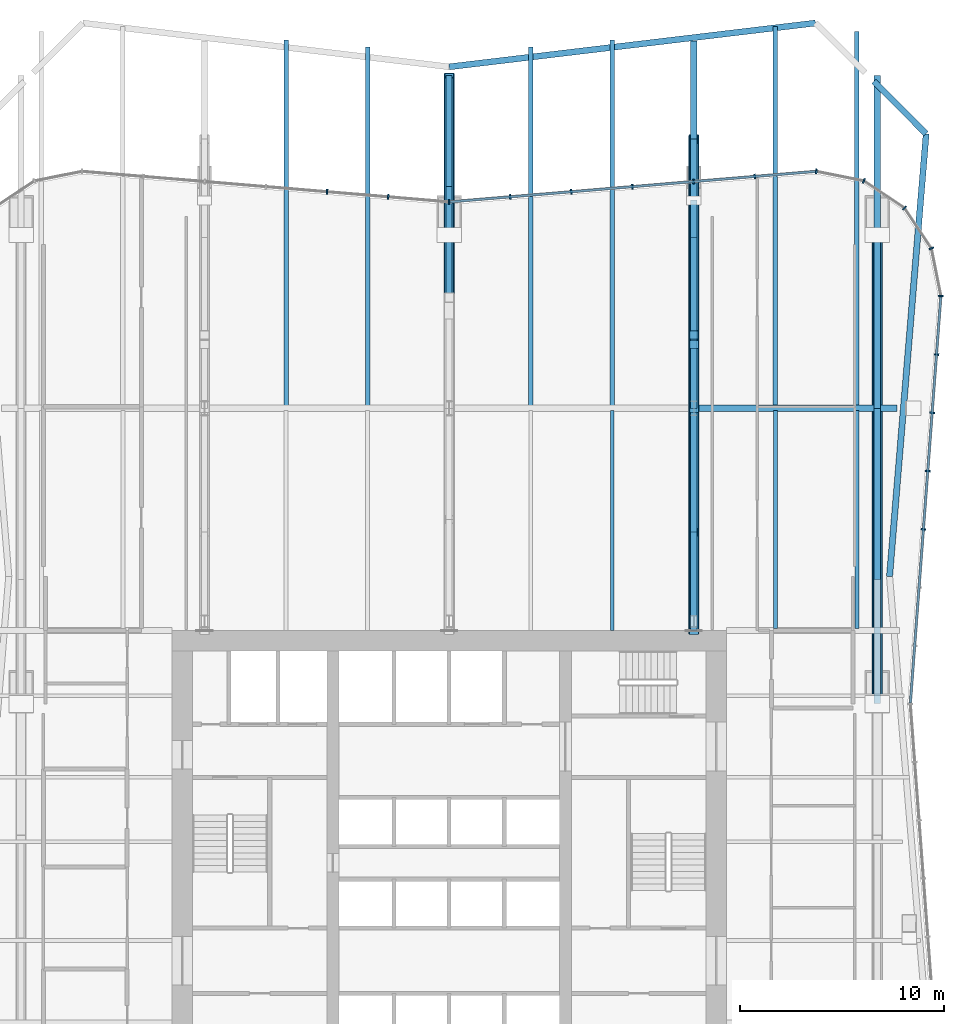
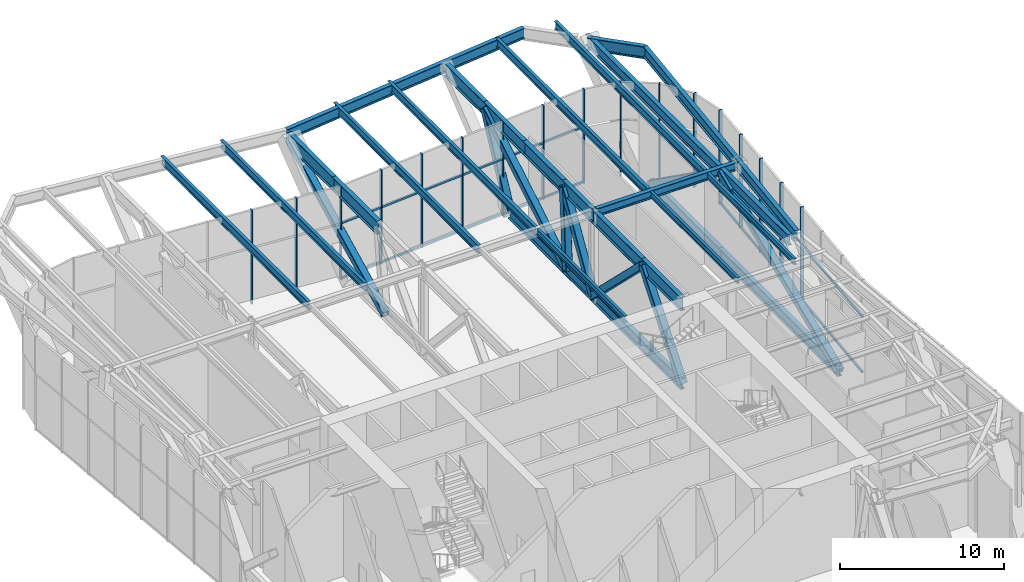
# One storey, part 7 of 16: 43 members, 13 beams, 3 elements without a shape of their own.
"""IFC4 building model written with IfcOpenShell, lengths in metres."""

from ifc_helpers import new_model, si_unit, direction, frame, origin, origin_2d, place, context, subcontext, project, spatial, rectangle, hollow_rectangle, i_section, extrude, material, material_profile, profile_set, type_object, element, aggregate, save


model = new_model("IFC4")

# Units and contexts
model_context = context("Model", 3, precision=1e-05, world=origin(), true_north=direction((0.0, 1.0)))
body_context = subcontext(model_context, "Body", "Model", "MODEL_VIEW")
ifc_project = project(units=[si_unit("LENGTHUNIT", "METRE"), si_unit("AREAUNIT", "SQUARE_METRE"), si_unit("VOLUMEUNIT", "CUBIC_METRE"), si_unit("PLANEANGLEUNIT", "RADIAN"), si_unit("MASSUNIT", "GRAM", prefix="KILO")], contexts=[model_context])

# Site, building, storey
site_placement = place(None, origin())
site = spatial("IfcSite", under=ifc_project, at=site_placement, CompositionType="ELEMENT")
building_placement = place(site_placement, origin())
building = spatial("IfcBuilding", under=site, at=building_placement, Name="Verdant Reach Tower", CompositionType="ELEMENT")
storey_placement = place(building_placement, frame((0.0, 0.0, 170.0)))
storey = spatial("IfcBuildingStorey", under=building, at=storey_placement, Name="L39 Plant", CompositionType="ELEMENT", Elevation=170.0)

# Curtain wall, members
ifc_material_1 = material(Name="Anodised aluminium", Category="aluminium")
curtain_wall_type = type_object("IfcCurtainWallType", Name="EN-CW SYSTEM PLANT", PredefinedType="NOTDEFINED", material=ifc_material_1)
curtain_wall_1_placement = place(storey_placement, origin())
curtain_wall_1 = element("IfcCurtainWall", 1, at=curtain_wall_1_placement, inside=storey, type_object=curtain_wall_type, Name="Curtain wall east, L39", PredefinedType="NOTDEFINED")
ifc_material_profile_1 = material_profile(ifc_material_1, rectangle(XDim=0.238037109375, YDim=0.080078125, at=origin_2d()), Name="Mullion 80x240")
ifc_profile_set_1 = profile_set([ifc_material_profile_1], Name="Anodised aluminium")
member_type_1 = type_object("IfcMemberType", Name="EN-MULLION PLANT", PredefinedType="MULLION", material=ifc_profile_set_1)
member_1_placement = place(storey_placement, frame((23.261474609375, 43.5625, -0.35009765625), z_axis=(0.0, 0.0, 1.0), x_axis=(0.997199309888, -0.074789948245, 0.0)))
member_1 = element("IfcMember", 2, at=member_1_placement, type_object=member_type_1, Name="Mullion east face part 2 4, L39", PredefinedType="MULLION", context=body_context, shape_type="SweptSolid", body=[
    extrude(rectangle(XDim=0.238037109375, YDim=0.080078125, at=origin_2d()), origin(), (0.0, 0.0, 1.0), 7.0),
])
member_2_placement = place(storey_placement, frame((23.475830078125, 46.419677734375, -0.35009765625), z_axis=(0.0, 0.0, 1.0), x_axis=(0.997199309888, -0.074789948245, 0.0)))
member_2 = element("IfcMember", 3, at=member_2_placement, type_object=member_type_1, Name="Mullion east face part 2 5, L39", PredefinedType="MULLION", context=body_context, shape_type="SweptSolid", body=[
    extrude(rectangle(XDim=0.238037109375, YDim=0.080078125, at=origin_2d()), origin(), (0.0, 0.0, 1.0), 7.0),
])
member_3_placement = place(storey_placement, frame((23.690185546875, 49.27685546875, -0.35009765625), z_axis=(0.0, 0.0, 1.0), x_axis=(0.997199309888, -0.074789948245, 0.0)))
member_3 = element("IfcMember", 4, at=member_3_placement, type_object=member_type_1, Name="Mullion east face part 2 6, L39", PredefinedType="MULLION", context=body_context, shape_type="SweptSolid", body=[
    extrude(rectangle(XDim=0.238037109375, YDim=0.080078125, at=origin_2d()), origin(), (0.0, 0.0, 1.0), 7.0),
])
member_4_placement = place(storey_placement, frame((23.904296875, 52.134033203125, -0.35009765625), z_axis=(0.0, 0.0, 1.0), x_axis=(0.997199309888, -0.074789948245, 0.0)))
member_4 = element("IfcMember", 5, at=member_4_placement, type_object=member_type_1, Name="Mullion east face part 2 7, L39", PredefinedType="MULLION", context=body_context, shape_type="SweptSolid", body=[
    extrude(rectangle(XDim=0.238037109375, YDim=0.080078125, at=origin_2d()), origin(), (0.0, 0.0, 1.0), 7.0),
])

curtain_wall_2_placement = place(storey_placement, origin())
curtain_wall_2 = element("IfcCurtainWall", 6, at=curtain_wall_2_placement, inside=storey, type_object=curtain_wall_type, Name="Curtain wall north-east corner, L39", PredefinedType="NOTDEFINED")
member_5_placement = place(storey_placement, frame((24.118896484375, 55.00732421875, -0.35009765625), z_axis=(0.0, 0.0, 1.0), x_axis=(0.998155887542, 0.060702752526, 0.0)))
member_5 = element("IfcMember", 7, at=member_5_placement, type_object=member_type_1, Name="Mullion north-east corner 1, L39", PredefinedType="MULLION", context=body_context, shape_type="SweptSolid", body=[
    extrude(rectangle(XDim=0.238037109375, YDim=0.080078125, at=origin_2d()), origin(), (0.0, 0.0, 1.0), 7.0),
])
member_6_placement = place(storey_placement, frame((23.6533203125, 57.341552734375, -0.35009765625), z_axis=(0.0, 0.0, 1.0), x_axis=(0.923875215753, 0.382693853776, 0.0)))
member_6 = element("IfcMember", 8, at=member_6_placement, type_object=member_type_1, Name="Mullion north-east corner 2, L39", PredefinedType="MULLION", context=body_context, shape_type="SweptSolid", body=[
    extrude(rectangle(XDim=0.238037109375, YDim=0.080078125, at=origin_2d()), origin(), (0.0, 0.0, 1.0), 7.0),
])
member_7_placement = place(storey_placement, frame((22.32666015625, 59.32666015625, -0.35009765625), z_axis=(0.0, 0.0, 1.0), x_axis=(0.707106781187, 0.707106781187, 0.0)))
member_7 = element("IfcMember", 9, at=member_7_placement, type_object=member_type_1, Name="Mullion north-east corner 3, L39", PredefinedType="MULLION", context=body_context, shape_type="SweptSolid", body=[
    extrude(rectangle(XDim=0.238037109375, YDim=0.080078125, at=origin_2d()), origin(), (0.0, 0.0, 1.0), 7.0),
])
member_8_placement = place(storey_placement, frame((20.341552734375, 60.6533203125, -0.35009765625), z_axis=(0.0, 0.0, 1.0), x_axis=(0.382693853776, 0.923875215753, 0.0)))
member_8 = element("IfcMember", 10, at=member_8_placement, type_object=member_type_1, Name="Mullion north-east corner 4, L39", PredefinedType="MULLION", context=body_context, shape_type="SweptSolid", body=[
    extrude(rectangle(XDim=0.238037109375, YDim=0.080078125, at=origin_2d()), origin(), (0.0, 0.0, 1.0), 7.0),
])
aggregate(curtain_wall_2, [member_5, member_6, member_7, member_8])

curtain_wall_3_placement = place(storey_placement, origin())
curtain_wall_3 = element("IfcCurtainWall", 11, at=curtain_wall_3_placement, inside=storey, type_object=curtain_wall_type, Name="Curtain wall north, L39", PredefinedType="NOTDEFINED")
member_9_placement = place(storey_placement, frame((18.0068359375, 61.118896484375, -0.35009765625), z_axis=(0.0, 0.0, 1.0), x_axis=(0.056569187765, 0.998398681387, 0.0)))
member_9 = element("IfcMember", 12, at=member_9_placement, type_object=member_type_1, Name="Mullion north face part 1 1, L39", PredefinedType="MULLION", context=body_context, shape_type="SweptSolid", body=[
    extrude(rectangle(XDim=0.238037109375, YDim=0.080078125, at=origin_2d()), origin(), (0.0, 0.0, 1.0), 7.0),
])
member_10_placement = place(storey_placement, frame((14.990234375, 60.86865234375, -0.35009765625), z_axis=(0.0, 0.0, 1.0), x_axis=(-0.083045479859, 0.996545758244, 0.0)))
member_10 = element("IfcMember", 13, at=member_10_placement, type_object=member_type_1, Name="Mullion north face part 1 2, L39", PredefinedType="MULLION", context=body_context, shape_type="SweptSolid", body=[
    extrude(rectangle(XDim=0.238037109375, YDim=0.080078125, at=origin_2d()), origin(), (0.0, 0.0, 1.0), 7.0),
])
member_11_placement = place(storey_placement, frame((11.990234375, 60.61865234375, -0.35009765625), z_axis=(0.0, 0.0, 1.0), x_axis=(-0.083045479859, 0.996545758244, 0.0)))
member_11 = element("IfcMember", 14, at=member_11_placement, type_object=member_type_1, Name="Mullion north face part 1 3, L39", PredefinedType="MULLION", context=body_context, shape_type="SweptSolid", body=[
    extrude(rectangle(XDim=0.238037109375, YDim=0.080078125, at=origin_2d()), origin(), (0.0, 0.0, 1.0), 7.0),
])
member_12_placement = place(storey_placement, frame((8.990234375, 60.36865234375, -0.35009765625), z_axis=(0.0, 0.0, 1.0), x_axis=(-0.083045479859, 0.996545758244, 0.0)))
member_12 = element("IfcMember", 15, at=member_12_placement, type_object=member_type_1, Name="Mullion north face part 1 4, L39", PredefinedType="MULLION", context=body_context, shape_type="SweptSolid", body=[
    extrude(rectangle(XDim=0.238037109375, YDim=0.080078125, at=origin_2d()), origin(), (0.0, 0.0, 1.0), 7.0),
])
member_13_placement = place(storey_placement, frame((5.990234375, 60.11865234375, -0.35009765625), z_axis=(0.0, 0.0, 1.0), x_axis=(-0.083045479859, 0.996545758244, 0.0)))
member_13 = element("IfcMember", 16, at=member_13_placement, type_object=member_type_1, Name="Mullion north face part 1 5, L39", PredefinedType="MULLION", context=body_context, shape_type="SweptSolid", body=[
    extrude(rectangle(XDim=0.238037109375, YDim=0.080078125, at=origin_2d()), origin(), (0.0, 0.0, 1.0), 7.0),
])
member_14_placement = place(storey_placement, frame((2.990234375, 59.86865234375, -0.35009765625), z_axis=(0.0, 0.0, 1.0), x_axis=(-0.083045479859, 0.996545758244, 0.0)))
member_14 = element("IfcMember", 17, at=member_14_placement, type_object=member_type_1, Name="Mullion north face part 1 6, L39", PredefinedType="MULLION", context=body_context, shape_type="SweptSolid", body=[
    extrude(rectangle(XDim=0.238037109375, YDim=0.080078125, at=origin_2d()), origin(), (0.0, 0.0, 1.0), 7.0),
])
member_15_placement = place(storey_placement, frame((0.0, 59.618896484375, -0.35009765625), z_axis=(0.0, 0.0, 1.0), x_axis=(0.0, 1.0, 0.0)))
member_15 = element("IfcMember", 18, at=member_15_placement, type_object=member_type_1, Name="Mullion north face part 2 1, L39", PredefinedType="MULLION", context=body_context, shape_type="SweptSolid", body=[
    extrude(rectangle(XDim=0.238037109375, YDim=0.080078125, at=origin_2d()), origin(), (0.0, 0.0, 1.0), 7.0),
])
member_16_placement = place(storey_placement, frame((-2.990234375, 59.86865234375, -0.35009765625), z_axis=(0.0, 0.0, 1.0), x_axis=(0.083045479859, 0.996545758244, 0.0)))
member_16 = element("IfcMember", 19, at=member_16_placement, type_object=member_type_1, Name="Mullion north face part 2 2, L39", PredefinedType="MULLION", context=body_context, shape_type="SweptSolid", body=[
    extrude(rectangle(XDim=0.238037109375, YDim=0.080078125, at=origin_2d()), origin(), (0.0, 0.0, 1.0), 7.0),
])
member_17_placement = place(storey_placement, frame((-5.990234375, 60.11865234375, -0.35009765625), z_axis=(0.0, 0.0, 1.0), x_axis=(0.083045479859, 0.996545758244, 0.0)))
member_17 = element("IfcMember", 20, at=member_17_placement, type_object=member_type_1, Name="Mullion north face part 2 3, L39", PredefinedType="MULLION", context=body_context, shape_type="SweptSolid", body=[
    extrude(rectangle(XDim=0.238037109375, YDim=0.080078125, at=origin_2d()), origin(), (0.0, 0.0, 1.0), 7.0),
])

# Member
ifc_material_profile_2 = material_profile(ifc_material_1, rectangle(XDim=0.1201171875, YDim=0.14990234375, at=origin_2d()), Name="Transom 150x120")
ifc_profile_set_2 = profile_set([ifc_material_profile_2], Name="Anodised aluminium")
member_type_2 = type_object("IfcMemberType", Name="EN-TRANSOM PLANT", PredefinedType="USERDEFINED", material=ifc_profile_set_2)
member_18_placement = place(storey_placement, frame((22.6220703125, 35.039794921875, -0.27490234375), z_axis=(0.074744693734, 0.997202702944, 0.0), x_axis=(-0.997202702944, 0.074744693734, 0.0)))
member_18 = element("IfcMember", 21, at=member_18_placement, type_object=member_type_2, Name="Transom east face part 2 1.1, L39", ObjectType="TRANSOM", PredefinedType="USERDEFINED", context=body_context, shape_type="SweptSolid", body=[
    extrude(rectangle(XDim=0.1201171875, YDim=0.14990234375, at=origin_2d()), origin(), (0.0, 0.0, 1.0), 19.9833984375),
])

member_19_placement = place(storey_placement, frame((22.6220703125, 35.039794921875, 3.85009765625), z_axis=(0.074744693734, 0.997202702944, 0.0), x_axis=(-0.997202702944, 0.074744693734, 0.0)))
member_19 = element("IfcMember", 22, at=member_19_placement, type_object=member_type_2, Name="Transom east face part 2 1.2, L39", ObjectType="TRANSOM", PredefinedType="USERDEFINED", context=body_context, shape_type="SweptSolid", body=[
    extrude(rectangle(XDim=0.1201171875, YDim=0.14990234375, at=origin_2d()), origin(), (0.0, 0.0, 1.0), 19.9833984375),
])

aggregate(curtain_wall_1, [member_1, member_2, member_3, member_4, member_18, member_19])

member_20_placement = place(storey_placement, frame((17.966796875, 61.115478515625, -0.27490234375), z_axis=(-0.996549220477, -0.083003922598, 0.0), x_axis=(0.083003922598, -0.996549220477, 0.0)))
member_20 = element("IfcMember", 23, at=member_20_placement, type_object=member_type_2, Name="Transom north face part 1 1.1, L39", ObjectType="TRANSOM", PredefinedType="USERDEFINED", context=body_context, shape_type="SweptSolid", body=[
    extrude(rectangle(XDim=0.1201171875, YDim=0.14990234375, at=origin_2d()), origin(), (0.0, 0.0, 1.0), 17.989013671875),
])

member_21_placement = place(storey_placement, frame((17.966796875, 61.115478515625, 3.85009765625), z_axis=(-0.996549220477, -0.083003922598, 0.0), x_axis=(0.083003922598, -0.996549220477, 0.0)))
member_21 = element("IfcMember", 24, at=member_21_placement, type_object=member_type_2, Name="Transom north face part 1 1.2, L39", ObjectType="TRANSOM", PredefinedType="USERDEFINED", context=body_context, shape_type="SweptSolid", body=[
    extrude(rectangle(XDim=0.1201171875, YDim=0.14990234375, at=origin_2d()), origin(), (0.0, 0.0, 1.0), 17.989013671875),
])

aggregate(curtain_wall_3, [member_9, member_10, member_11, member_12, member_13, member_14, member_20, member_21, member_15, member_16, member_17])

# Beams
ifc_material_2 = material(Name="Steel S355", Category="steel")
ifc_material_profile_3 = material_profile(ifc_material_2, i_section(OverallWidth=0.300048828125, OverallDepth=0.60009765625, WebThickness=0.015380859375, FlangeThickness=0.030029296875, FilletRadius=0.027099609375, at=origin_2d()), Name="HEB 600")
ifc_profile_set_3 = profile_set([ifc_material_profile_3], Name="Steel S355")
beam_type_1 = type_object("IfcBeamType", Name="ST-BEAM-HEB600", PredefinedType="BEAM", material=ifc_profile_set_3)
beam_1_placement = place(storey_placement, frame((12.154052734375, 49.5, 6.570068359375), z_axis=(1.0, 0.0, 0.0), x_axis=(0.0, 1.0, 0.0)))
element("IfcBeam", 25, at=beam_1_placement, inside=storey, type_object=beam_type_1, Name="Row girder, L39 Plant", PredefinedType="BEAM", context=body_context, shape_type="SweptSolid", body=[
    extrude(i_section(OverallWidth=0.300048828125, OverallDepth=0.60009765625, WebThickness=0.015380859375, FlangeThickness=0.030029296875, FilletRadius=0.027099609375, at=origin_2d()), origin(), (0.0, 0.0, 1.0), 9.804931640625),
])
ifc_material_profile_4 = material_profile(ifc_material_2, i_section(OverallWidth=0.18994140625, OverallDepth=0.449951171875, WebThickness=0.009521484375, FlangeThickness=0.0146484375, FilletRadius=0.02099609375, at=origin_2d()), Name="IPE 450")
ifc_profile_set_4 = profile_set([ifc_material_profile_4], Name="Steel S355")
beam_type_2 = type_object("IfcBeamType", Name="ST-JOIST-IPE450", PredefinedType="JOIST", material=ifc_profile_set_4)
beam_2_placement = place(storey_placement, frame((8.0, 38.60009765625, 6.64501953125), z_axis=(0.0, 1.0, 0.0), x_axis=(-1.0, 0.0, 0.0)))
element("IfcBeam", 26, at=beam_2_placement, inside=storey, type_object=beam_type_2, Name="Floor joist, L39 Plant", PredefinedType="JOIST", context=body_context, shape_type="SweptSolid", body=[
    extrude(i_section(OverallWidth=0.18994140625, OverallDepth=0.449951171875, WebThickness=0.009521484375, FlangeThickness=0.0146484375, FilletRadius=0.02099609375, at=origin_2d()), origin(), (0.0, 0.0, 1.0), 10.7998046875),
])
for number, where, z_axis, x_axis, name in (
    (27, (16.0, 38.699951171875, 6.64501953125), (0.0, 1.0, 0.0), (-1.0, 0.0, 0.0), "Floor joist, L39 Plant"),
    (28, (20.0, 38.699951171875, 6.64501953125), (0.0, 1.0, 0.0), (-1.0, 0.0, 0.0), "Floor joist, L39 Plant"),
):
    element("IfcBeam", number, at=place(storey_placement, frame(where, z_axis=z_axis, x_axis=x_axis)), inside=storey, type_object=beam_type_2, Name=name, PredefinedType="JOIST", context=body_context, shape_type="SweptSolid", body=[
        extrude(i_section(OverallWidth=0.18994140625, OverallDepth=0.449951171875, WebThickness=0.009521484375, FlangeThickness=0.0146484375, FilletRadius=0.02099609375, at=origin_2d()), origin(), (0.0, 0.0, 1.0), 10.699951171875),
    ])
ifc_material_profile_5 = material_profile(ifc_material_2, i_section(OverallWidth=0.219970703125, OverallDepth=0.60009765625, WebThickness=0.011962890625, FlangeThickness=0.01904296875, FilletRadius=0.02392578125, at=origin_2d()), Name="IPE 600")
ifc_profile_set_5 = profile_set([ifc_material_profile_5], Name="Steel S355")
beam_type_3 = type_object("IfcBeamType", Name="ST-JOIST-IPE600", PredefinedType="JOIST", material=ifc_profile_set_5)
beam_3_placement = place(storey_placement, frame((-8.0, 49.60009765625, 6.570068359375), z_axis=(0.0, 1.0, 0.0), x_axis=(-1.0, 0.0, 0.0)))
element("IfcBeam", 29, at=beam_3_placement, inside=storey, type_object=beam_type_3, Name="Floor joist, L39 Plant", PredefinedType="JOIST", context=body_context, shape_type="SweptSolid", body=[
    extrude(i_section(OverallWidth=0.219970703125, OverallDepth=0.60009765625, WebThickness=0.011962890625, FlangeThickness=0.01904296875, FilletRadius=0.02392578125, at=origin_2d()), origin(), (0.0, 0.0, 1.0), 17.964599609375),
])
for number, where, z_axis, x_axis, name in (
    (30, (-4.0, 49.60009765625, 6.570068359375), (0.0, 1.0, 0.0), (-1.0, 0.0, 0.0), "Floor joist, L39 Plant"),
    (31, (4.0, 49.60009765625, 6.570068359375), (0.0, 1.0, 0.0), (-1.0, 0.0, 0.0), "Floor joist, L39 Plant"),
):
    element("IfcBeam", number, at=place(storey_placement, frame(where, z_axis=z_axis, x_axis=x_axis)), inside=storey, type_object=beam_type_3, Name=name, PredefinedType="JOIST", context=body_context, shape_type="SweptSolid", body=[
        extrude(i_section(OverallWidth=0.219970703125, OverallDepth=0.60009765625, WebThickness=0.011962890625, FlangeThickness=0.01904296875, FilletRadius=0.02392578125, at=origin_2d()), origin(), (0.0, 0.0, 1.0), 17.631103515625),
    ])
beam_4_placement = place(storey_placement, frame((8.0, 49.60009765625, 6.570068359375), z_axis=(0.0, 1.0, 0.0), x_axis=(-1.0, 0.0, 0.0)))
element("IfcBeam", 32, at=beam_4_placement, inside=storey, type_object=beam_type_3, Name="Floor joist, L39 Plant", PredefinedType="JOIST", context=body_context, shape_type="SweptSolid", body=[
    extrude(i_section(OverallWidth=0.219970703125, OverallDepth=0.60009765625, WebThickness=0.011962890625, FlangeThickness=0.01904296875, FilletRadius=0.02392578125, at=origin_2d()), origin(), (0.0, 0.0, 1.0), 17.964599609375),
])
beam_5_placement = place(storey_placement, frame((16.0, 49.60009765625, 6.570068359375), z_axis=(0.0, 1.0, 0.0), x_axis=(-1.0, 0.0, 0.0)))
element("IfcBeam", 33, at=beam_5_placement, inside=storey, type_object=beam_type_3, Name="Floor joist, L39 Plant", PredefinedType="JOIST", context=body_context, shape_type="SweptSolid", body=[
    extrude(i_section(OverallWidth=0.219970703125, OverallDepth=0.60009765625, WebThickness=0.011962890625, FlangeThickness=0.01904296875, FilletRadius=0.02392578125, at=origin_2d()), origin(), (0.0, 0.0, 1.0), 18.631103515625),
])
beam_6_placement = place(storey_placement, frame((20.0, 49.60009765625, 6.570068359375), z_axis=(0.0, 1.0, 0.0), x_axis=(-1.0, 0.0, 0.0)))
element("IfcBeam", 34, at=beam_6_placement, inside=storey, type_object=beam_type_3, Name="Floor joist, L39 Plant", PredefinedType="JOIST", context=body_context, shape_type="SweptSolid", body=[
    extrude(i_section(OverallWidth=0.219970703125, OverallDepth=0.60009765625, WebThickness=0.011962890625, FlangeThickness=0.01904296875, FilletRadius=0.02392578125, at=origin_2d()), origin(), (0.0, 0.0, 1.0), 18.390380859375),
])
ifc_material_profile_6 = material_profile(ifc_material_2, i_section(OverallWidth=0.300048828125, OverallDepth=0.800048828125, WebThickness=0.017578125, FlangeThickness=0.032958984375, FilletRadius=0.030029296875, at=origin_2d()), Name="HEB 800")
ifc_profile_set_6 = profile_set([ifc_material_profile_6], Name="Steel S355")
beam_type_4 = type_object("IfcBeamType", Name="ST-SPANDREL-HEB800", PredefinedType="SPANDREL", material=ifc_profile_set_6)
beam_7_placement = place(storey_placement, frame((0.0, 66.246337890625, 6.469970703125), z_axis=(0.992923943618, 0.118752019729, 0.0), x_axis=(-0.118752019729, 0.992923943618, 0.0)))
element("IfcBeam", 35, at=beam_7_placement, inside=storey, type_object=beam_type_4, Name="Edge beam, L39 Plant", PredefinedType="SPANDREL", context=body_context, shape_type="SweptSolid", body=[
    extrude(i_section(OverallWidth=0.300048828125, OverallDepth=0.800048828125, WebThickness=0.017578125, FlangeThickness=0.032958984375, FilletRadius=0.030029296875, at=origin_2d()), origin(), (0.0, 0.0, 1.0), 18.09375),
])
beam_8_placement = place(storey_placement, frame((23.39599609375, 62.96142578125, 6.469970703125), z_axis=(-0.082435210935, -0.99659642584, 0.0), x_axis=(0.99659642584, -0.082435210935, 0.0)))
element("IfcBeam", 36, at=beam_8_placement, inside=storey, type_object=beam_type_4, Name="Edge beam, L39 Plant", PredefinedType="SPANDREL", context=body_context, shape_type="SweptSolid", body=[
    extrude(i_section(OverallWidth=0.300048828125, OverallDepth=0.800048828125, WebThickness=0.017578125, FlangeThickness=0.032958984375, FilletRadius=0.030029296875, at=origin_2d()), origin(), (0.0, 0.0, 1.0), 21.78564453125),
])
ifc_material_profile_7 = material_profile(ifc_material_2, i_section(OverallWidth=0.302001953125, OverallDepth=0.909912109375, WebThickness=0.02099609375, FlangeThickness=0.0400390625, FilletRadius=0.030029296875, at=origin_2d()), Name="HEM 900")
ifc_profile_set_7 = profile_set([ifc_material_profile_7], Name="Steel S355")
beam_type_5 = type_object("IfcBeamType", Name="ST-SPANDREL-HEM900", PredefinedType="SPANDREL", material=ifc_profile_set_7)
beam_9_placement = place(storey_placement, frame((20.83349609375, 65.525390625, 6.4150390625), z_axis=(0.706904702576, -0.707308802063, 0.0), x_axis=(0.707308802063, 0.706904702576, 0.0)))
element("IfcBeam", 37, at=beam_9_placement, inside=storey, type_object=beam_type_5, Name="Edge beam, L39 Plant", PredefinedType="SPANDREL", context=body_context, shape_type="SweptSolid", body=[
    extrude(i_section(OverallWidth=0.302001953125, OverallDepth=0.909912109375, WebThickness=0.02099609375, FlangeThickness=0.0400390625, FilletRadius=0.030029296875, at=origin_2d()), origin(), (0.0, 0.0, 1.0), 3.625),
])

# Members
ifc_material_3 = material(Name="Steel S460", Category="steel")
ifc_material_profile_8 = material_profile(ifc_material_3, hollow_rectangle(XDim=0.5, YDim=0.5, WallThickness=0.02490234375, InnerFilletRadius=0.02490234375, OuterFilletRadius=0.050048828125, at=origin_2d()), Name="RHS 500x500x25")
ifc_profile_set_8 = profile_set([ifc_material_profile_8], Name="Steel S460")
member_type_3 = type_object("IfcMemberType", Name="ST-TRUSS-BRACE-RHS500x500x25", PredefinedType="BRACE", material=ifc_profile_set_8)
member_22_placement = place(storey_placement, frame((0.0, 54.127197265625, 0.406982421875), z_axis=(0.0, 0.891020334617, 0.453963394229), x_axis=(-1.0, 0.0, 0.0)))
element("IfcMember", 38, at=member_22_placement, inside=storey, type_object=member_type_3, Name="Outrigger truss D north, diagonal, L39 Plant", PredefinedType="BRACE", context=body_context, shape_type="SweptSolid", body=[
    extrude(hollow_rectangle(XDim=0.5, YDim=0.5, WallThickness=0.02490234375, InnerFilletRadius=0.02490234375, OuterFilletRadius=0.050048828125, at=origin_2d()), origin(), (0.0, 0.0, 1.0), 13.12646484375),
])
member_23_placement = place(storey_placement, frame((12.0, 38.60009765625, 0.406982421875), z_axis=(0.0, 0.628912291492, 0.777476256622), x_axis=(-1.0, 0.0, 0.0)))
element("IfcMember", 39, at=member_23_placement, inside=storey, type_object=member_type_3, Name="Outrigger truss E north, diagonal, L39 Plant", PredefinedType="BRACE", context=body_context, shape_type="SweptSolid", body=[
    extrude(hollow_rectangle(XDim=0.5, YDim=0.5, WallThickness=0.02490234375, InnerFilletRadius=0.02490234375, OuterFilletRadius=0.050048828125, at=origin_2d()), origin(), (0.0, 0.0, 1.0), 7.66455078125),
])
member_24_placement = place(storey_placement, frame((12.0, 43.42041015625, 6.365966796875), z_axis=(0.0, 0.714154917711, -0.699987680969), x_axis=(-1.0, 0.0, 0.0)))
element("IfcMember", 40, at=member_24_placement, inside=storey, type_object=member_type_3, Name="Outrigger truss E north, diagonal, L39 Plant", PredefinedType="BRACE", context=body_context, shape_type="SweptSolid", body=[
    extrude(hollow_rectangle(XDim=0.5, YDim=0.5, WallThickness=0.02490234375, InnerFilletRadius=0.02490234375, OuterFilletRadius=0.050048828125, at=origin_2d()), origin(), (0.0, 0.0, 1.0), 8.512939453125),
])
member_25_placement = place(storey_placement, frame((12.0, 49.5, 0.406982421875), z_axis=(0.0, 0.513026232541, 0.8583729287), x_axis=(-1.0, 0.0, 0.0)))
element("IfcMember", 41, at=member_25_placement, inside=storey, type_object=member_type_3, Name="Outrigger truss E north, diagonal, L39 Plant", PredefinedType="BRACE", context=body_context, shape_type="SweptSolid", body=[
    extrude(hollow_rectangle(XDim=0.5, YDim=0.5, WallThickness=0.02490234375, InnerFilletRadius=0.02490234375, OuterFilletRadius=0.050048828125, at=origin_2d()), origin(), (0.0, 0.0, 1.0), 6.942138671875),
])
member_26_placement = place(storey_placement, frame((12.0, 53.0615234375, 6.365966796875), z_axis=(0.0, -0.065126927319, -0.997876988079), x_axis=(1.0, 0.0, 0.0)))
element("IfcMember", 42, at=member_26_placement, inside=storey, type_object=member_type_3, Name="Outrigger truss E north, diagonal, L39 Plant", PredefinedType="BRACE", context=body_context, shape_type="SweptSolid", body=[
    extrude(hollow_rectangle(XDim=0.5, YDim=0.5, WallThickness=0.02490234375, InnerFilletRadius=0.02490234375, OuterFilletRadius=0.050048828125, at=origin_2d()), origin(), (0.0, 0.0, 1.0), 5.9716796875),
])
member_27_placement = place(storey_placement, frame((12.0, 52.672607421875, 0.406982421875), z_axis=(0.0, 0.859717203118, 0.510770330641), x_axis=(-1.0, 0.0, 0.0)))
element("IfcMember", 43, at=member_27_placement, inside=storey, type_object=member_type_3, Name="Outrigger truss E north, diagonal, L39 Plant", PredefinedType="BRACE", context=body_context, shape_type="SweptSolid", body=[
    extrude(hollow_rectangle(XDim=0.5, YDim=0.5, WallThickness=0.02490234375, InnerFilletRadius=0.02490234375, OuterFilletRadius=0.050048828125, at=origin_2d()), origin(), (0.0, 0.0, 1.0), 11.666748046875),
])
member_28_placement = place(storey_placement, frame((12.0, 62.70263671875, 6.365966796875), z_axis=(0.0, -0.44891149171, -0.893576226525), x_axis=(1.0, 0.0, 0.0)))
element("IfcMember", 44, at=member_28_placement, inside=storey, type_object=member_type_3, Name="Outrigger truss E north, diagonal, L39 Plant", PredefinedType="BRACE", context=body_context, shape_type="SweptSolid", body=[
    extrude(hollow_rectangle(XDim=0.5, YDim=0.5, WallThickness=0.02490234375, InnerFilletRadius=0.02490234375, OuterFilletRadius=0.050048828125, at=origin_2d()), origin(), (0.0, 0.0, 1.0), 6.668701171875),
])
member_29_placement = place(storey_placement, frame((21.0, 35.007080078125, 0.406982421875), z_axis=(0.0, 0.922687873286, 0.385547777182), x_axis=(-1.0, 0.0, 0.0)))
element("IfcMember", 45, at=member_29_placement, inside=storey, type_object=member_type_3, Name="Transfer truss F east, diagonal, L39 Plant", PredefinedType="BRACE", context=body_context, shape_type="SweptSolid", body=[
    extrude(hollow_rectangle(XDim=0.5, YDim=0.5, WallThickness=0.02490234375, InnerFilletRadius=0.02490234375, OuterFilletRadius=0.050048828125, at=origin_2d()), origin(), (0.0, 0.0, 1.0), 15.707275390625),
])
member_30_placement = place(storey_placement, frame((21.0, 49.5, 6.462890625), z_axis=(0.0, 0.814727342615, -0.579844252534), x_axis=(-1.0, 0.0, 0.0)))
element("IfcMember", 46, at=member_30_placement, inside=storey, type_object=member_type_3, Name="Transfer truss F east, diagonal, L39 Plant", PredefinedType="BRACE", context=body_context, shape_type="SweptSolid", body=[
    extrude(hollow_rectangle(XDim=0.5, YDim=0.5, WallThickness=0.02490234375, InnerFilletRadius=0.02490234375, OuterFilletRadius=0.050048828125, at=origin_2d()), origin(), (0.0, 0.0, 1.0), 10.444091796875),
])
ifc_material_profile_9 = material_profile(ifc_material_3, i_section(OverallWidth=0.302001953125, OverallDepth=1.008056640625, WebThickness=0.02099609375, FlangeThickness=0.0400390625, FilletRadius=0.030029296875, at=origin_2d()), Name="HEM 1000")
ifc_profile_set_9 = profile_set([ifc_material_profile_9], Name="Steel S460")
member_type_4 = type_object("IfcMemberType", Name="ST-TRUSS-CHORD-HEM1000", PredefinedType="CHORD", material=ifc_profile_set_9)
member_31_placement = place(storey_placement, frame((0.0, 54.933837890625, 6.365966796875), z_axis=(0.0, 1.0, 0.0), x_axis=(-1.0, 0.0, 0.0)))
element("IfcMember", 47, at=member_31_placement, inside=storey, type_object=member_type_4, Name="Outrigger truss D north, top chord, L39 Plant", PredefinedType="CHORD", context=body_context, shape_type="SweptSolid", body=[
    extrude(i_section(OverallWidth=0.302001953125, OverallDepth=1.008056640625, WebThickness=0.02099609375, FlangeThickness=0.0400390625, FilletRadius=0.030029296875, at=origin_2d()), origin(), (0.0, 0.0, 1.0), 5.44482421875),
])
member_32_placement = place(storey_placement, frame((0.0, 60.378662109375, 6.365966796875), z_axis=(0.0, 1.0, 0.0), x_axis=(-1.0, 0.0, 0.0)))
element("IfcMember", 48, at=member_32_placement, inside=storey, type_object=member_type_4, Name="Outrigger truss D north, top chord, L39 Plant", PredefinedType="CHORD", context=body_context, shape_type="SweptSolid", body=[
    extrude(i_section(OverallWidth=0.302001953125, OverallDepth=1.008056640625, WebThickness=0.02099609375, FlangeThickness=0.0400390625, FilletRadius=0.030029296875, at=origin_2d()), origin(), (0.0, 0.0, 1.0), 5.444580078125),
])
member_33_placement = place(storey_placement, frame((12.0, 38.60009765625, 6.365966796875), z_axis=(0.0, 1.0, 0.0), x_axis=(-1.0, 0.0, 0.0)))
element("IfcMember", 49, at=member_33_placement, inside=storey, type_object=member_type_4, Name="Outrigger truss E north, top chord, L39 Plant", PredefinedType="CHORD", context=body_context, shape_type="SweptSolid", body=[
    extrude(i_section(OverallWidth=0.302001953125, OverallDepth=1.008056640625, WebThickness=0.02099609375, FlangeThickness=0.0400390625, FilletRadius=0.030029296875, at=origin_2d()), origin(), (0.0, 0.0, 1.0), 4.8203125),
])
member_34_placement = place(storey_placement, frame((12.0, 43.42041015625, 6.365966796875), z_axis=(0.0, 1.0, 0.0), x_axis=(-1.0, 0.0, 0.0)))
element("IfcMember", 50, at=member_34_placement, inside=storey, type_object=member_type_4, Name="Outrigger truss E north, top chord, L39 Plant", PredefinedType="CHORD", context=body_context, shape_type="SweptSolid", body=[
    extrude(i_section(OverallWidth=0.302001953125, OverallDepth=1.008056640625, WebThickness=0.02099609375, FlangeThickness=0.0400390625, FilletRadius=0.030029296875, at=origin_2d()), origin(), (0.0, 0.0, 1.0), 6.07958984375),
])
member_35_placement = place(storey_placement, frame((12.0, 49.5, 6.365966796875), z_axis=(0.0, 1.0, 0.0), x_axis=(-1.0, 0.0, 0.0)))
element("IfcMember", 51, at=member_35_placement, inside=storey, type_object=member_type_4, Name="Outrigger truss E north, top chord, L39 Plant", PredefinedType="CHORD", context=body_context, shape_type="SweptSolid", body=[
    extrude(i_section(OverallWidth=0.302001953125, OverallDepth=1.008056640625, WebThickness=0.02099609375, FlangeThickness=0.0400390625, FilletRadius=0.030029296875, at=origin_2d()), origin(), (0.0, 0.0, 1.0), 3.5615234375),
])
for number, where, z_axis, x_axis, name in (
    (52, (12.0, 53.0615234375, 6.365966796875), (0.0, 1.0, 0.0), (-1.0, 0.0, 0.0), "Outrigger truss E north, top chord, L39 Plant"),
    (53, (12.0, 57.882080078125, 6.365966796875), (0.0, 1.0, 0.0), (-1.0, 0.0, 0.0), "Outrigger truss E north, top chord, L39 Plant"),
    (54, (12.0, 62.70263671875, 6.365966796875), (0.0, 1.0, 0.0), (-1.0, 0.0, 0.0), "Outrigger truss E north, top chord, L39 Plant"),
):
    element("IfcMember", number, at=place(storey_placement, frame(where, z_axis=z_axis, x_axis=x_axis)), inside=storey, type_object=member_type_4, Name=name, PredefinedType="CHORD", context=body_context, shape_type="SweptSolid", body=[
        extrude(i_section(OverallWidth=0.302001953125, OverallDepth=1.008056640625, WebThickness=0.02099609375, FlangeThickness=0.0400390625, FilletRadius=0.030029296875, at=origin_2d()), origin(), (0.0, 0.0, 1.0), 4.820556640625),
    ])
ifc_material_profile_10 = material_profile(ifc_material_3, i_section(OverallWidth=0.302978515625, OverallDepth=0.81396484375, WebThickness=0.02099609375, FlangeThickness=0.0400390625, FilletRadius=0.030029296875, at=origin_2d()), Name="HEM 800")
ifc_profile_set_10 = profile_set([ifc_material_profile_10], Name="Steel S460")
member_type_5 = type_object("IfcMemberType", Name="ST-TRUSS-CHORD-HEM800", PredefinedType="CHORD", material=ifc_profile_set_10)
member_36_placement = place(storey_placement, frame((12.0, 38.60009765625, 0.406982421875), z_axis=(0.0, 1.0, 0.0), x_axis=(-1.0, 0.0, 0.0)))
element("IfcMember", 55, at=member_36_placement, inside=storey, type_object=member_type_5, Name="Outrigger truss E north, bottom chord, L39 Plant", PredefinedType="CHORD", context=body_context, shape_type="SweptSolid", body=[
    extrude(i_section(OverallWidth=0.302978515625, OverallDepth=0.81396484375, WebThickness=0.02099609375, FlangeThickness=0.0400390625, FilletRadius=0.030029296875, at=origin_2d()), origin(), (0.0, 0.0, 1.0), 21.10888671875),
])
member_37_placement = place(storey_placement, frame((21.0, 41.11181640625, 6.462890625), z_axis=(0.0, 1.0, 0.0), x_axis=(-1.0, 0.0, 0.0)))
element("IfcMember", 56, at=member_37_placement, inside=storey, type_object=member_type_5, Name="Transfer truss F east, top chord, L39 Plant", PredefinedType="CHORD", context=body_context, shape_type="SweptSolid", body=[
    extrude(i_section(OverallWidth=0.302978515625, OverallDepth=0.81396484375, WebThickness=0.02099609375, FlangeThickness=0.0400390625, FilletRadius=0.030029296875, at=origin_2d()), origin(), (0.0, 0.0, 1.0), 8.38818359375),
])
member_38_placement = place(storey_placement, frame((21.0, 35.007080078125, 0.406982421875), z_axis=(0.0, 1.0, 0.0), x_axis=(-1.0, 0.0, 0.0)))
element("IfcMember", 57, at=member_38_placement, inside=storey, type_object=member_type_5, Name="Transfer truss F east, bottom chord, L39 Plant", PredefinedType="CHORD", context=body_context, shape_type="SweptSolid", body=[
    extrude(i_section(OverallWidth=0.302978515625, OverallDepth=0.81396484375, WebThickness=0.02099609375, FlangeThickness=0.0400390625, FilletRadius=0.030029296875, at=origin_2d()), origin(), (0.0, 0.0, 1.0), 14.492919921875),
])
member_39_placement = place(storey_placement, frame((21.0, 49.5, 6.462890625), z_axis=(0.0, 1.0, 0.0), x_axis=(-1.0, 0.0, 0.0)))
element("IfcMember", 58, at=member_39_placement, inside=storey, type_object=member_type_5, Name="Transfer truss F east, top chord, L39 Plant", PredefinedType="CHORD", context=body_context, shape_type="SweptSolid", body=[
    extrude(i_section(OverallWidth=0.302978515625, OverallDepth=0.81396484375, WebThickness=0.02099609375, FlangeThickness=0.0400390625, FilletRadius=0.030029296875, at=origin_2d()), origin(), (0.0, 0.0, 1.0), 16.3232421875),
])
member_40_placement = place(storey_placement, frame((21.0, 49.5, 0.406982421875), z_axis=(0.0, 1.0, 0.0), x_axis=(-1.0, 0.0, 0.0)))
element("IfcMember", 59, at=member_40_placement, inside=storey, type_object=member_type_5, Name="Transfer truss F east, bottom chord, L39 Plant", PredefinedType="CHORD", context=body_context, shape_type="SweptSolid", body=[
    extrude(i_section(OverallWidth=0.302978515625, OverallDepth=0.81396484375, WebThickness=0.02099609375, FlangeThickness=0.0400390625, FilletRadius=0.030029296875, at=origin_2d()), origin(), (0.0, 0.0, 1.0), 8.509033203125),
])

save(model, "model.ifc")
